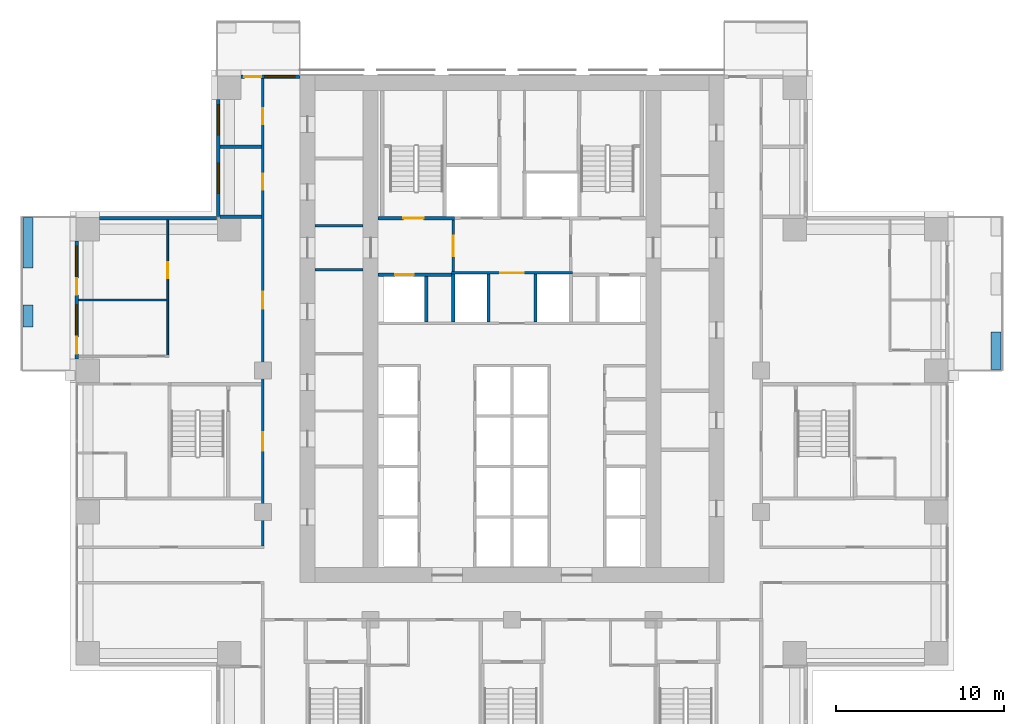
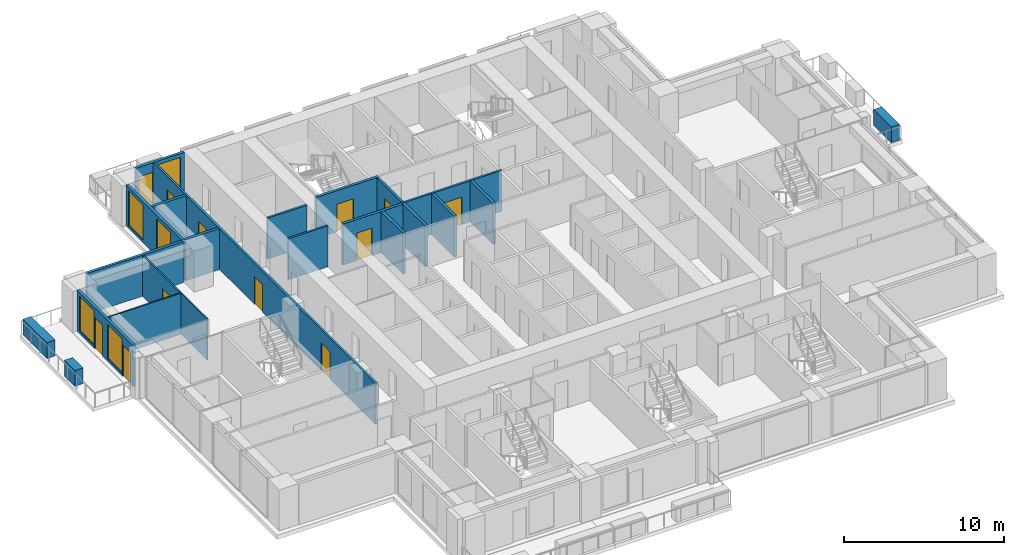
# One storey, part 10 of 16: 22 walls, 12 doors, 5 windows, 17 openings.
"""IFC4 building model written with IfcOpenShell, lengths in metres."""

from ifc_helpers import new_model, si_unit, direction, frame, frame_2d, origin, place, context, subcontext, project, spatial, rectangle, extrude, material, layer, layer_set, type_object, element, fill, save


model = new_model("IFC4")

# Units and contexts
model_context = context("Model", 3, precision=1e-05, world=origin(), true_north=direction((0.0, 1.0)))
body_context = subcontext(model_context, "Body", "Model", "MODEL_VIEW")
ifc_project = project(units=[si_unit("LENGTHUNIT", "METRE"), si_unit("AREAUNIT", "SQUARE_METRE"), si_unit("VOLUMEUNIT", "CUBIC_METRE"), si_unit("PLANEANGLEUNIT", "RADIAN"), si_unit("MASSUNIT", "GRAM", prefix="KILO")], contexts=[model_context])

# Site, building, storey
site_placement = place(None, origin())
site = spatial("IfcSite", under=ifc_project, at=site_placement, CompositionType="ELEMENT")
building_placement = place(site_placement, origin())
building = spatial("IfcBuilding", under=site, at=building_placement, Name="Vermilion Ogive Tower", CompositionType="ELEMENT")
storey_placement = place(building_placement, frame((0.0, 0.0, 41.39990234375)))
storey = spatial("IfcBuildingStorey", under=building, at=storey_placement, Name="L08", CompositionType="ELEMENT", Elevation=41.39990234375)

# Wall
ifc_material_1 = material(Name="Gypsum board partition on steel studs", Category="steel")
ifc_layer_1 = layer(ifc_material_1, 0.10009765625)
ifc_layer_set_1 = layer_set([ifc_layer_1], Name="Partition 100 inner")
wall_type_1 = type_object("IfcWallType", Name="Partition 100 inner", PredefinedType="PARTITIONING", material=ifc_layer_set_1)
wall_1_placement = place(storey_placement, frame((-25.75, 8.39990234375, 0.0), z_axis=(0.0, 0.0, 1.0), x_axis=(1.0, 0.0, 0.0)))
element("IfcWall", 1, at=wall_1_placement, inside=storey, type_object=wall_type_1, Name="L08-W-W035", PredefinedType="PARTITIONING", context=body_context, shape_type="SweptSolid", body=[
    extrude(rectangle(XDim=5.25, YDim=0.10009765625, at=frame_2d((2.625, 0.0))), origin(), (0.0, 0.0, 1.0), 3.130126953125),
])

# Wall, opening, door
wall_2_placement = place(storey_placement, frame((-20.449951171875, 5.099853515625, 0.0), z_axis=(0.0, 0.0, 1.0), x_axis=(0.0, 1.0, 0.0)))
wall_2 = element("IfcWall", 2, at=wall_2_placement, inside=storey, type_object=wall_type_1, Name="L08-W-W042", PredefinedType="PARTITIONING", context=body_context, shape_type="SweptSolid", body=[
    extrude(rectangle(XDim=8.050048828125, YDim=0.10009765625, at=frame_2d((4.02490234375, 0.0))), origin(), (0.0, 0.0, 1.0), 3.130126953125),
])
opening_1_placement = place(wall_2_placement, frame((4.60009765625, 0.0, 0.0)))
opening_1 = element("IfcOpeningElement", 3, at=opening_1_placement, cuts=wall_2, Name="Opening D1G2005", PredefinedType="OPENING", context=body_context, shape_type="SweptSolid", body=[
    extrude(rectangle(XDim=0.949951171875, YDim=2.10009765625, at=frame_2d((0.47509765625, 1.050048828125))), frame((0.0, 0.06005859375, 0.0), z_axis=(0.0, -1.0, 0.0), x_axis=(1.0, 0.0, 0.0)), (0.0, 0.0, 1.0), 0.1201171875),
])
ifc_material_2 = material(Name="Timber door leaf", Category="wood")
door_type_1 = type_object("IfcDoorType", Name="Inner door 950 x 2100 FD30", OperationType="SINGLE_SWING_LEFT", PredefinedType="DOOR", material=ifc_material_2)
door_1_placement = place(opening_1_placement, origin())
door_1 = element("IfcDoor", 4, at=door_1_placement, inside=storey, type_object=door_type_1, Name="L08-D-D005", OperationType="SINGLE_SWING_RIGHT", OverallHeight=2.10009765625, OverallWidth=0.949951171875, PredefinedType="DOOR", context=body_context, shape_type="SweptSolid", body=[
    extrude(rectangle(XDim=0.949951171875, YDim=2.10009765625, at=frame_2d((0.47509765625, 1.050048828125))), frame((0.0, 0.02490234375, 0.0), z_axis=(0.0, -1.0, 0.0), x_axis=(1.0, 0.0, 0.0)), (0.0, 0.0, 1.0), 0.050048828125),
])
fill(opening_1, door_1)

# Wall, openings, doors
ifc_material_3 = material(Name="Gypsum board partition on steel studs", Category="steel")
ifc_layer_2 = layer(ifc_material_3, 0.14990234375)
ifc_layer_set_2 = layer_set([ifc_layer_2], Name="Partition 150 corridor")
wall_type_2 = type_object("IfcWallType", Name="Partition 150 corridor", PredefinedType="PARTITIONING", material=ifc_layer_set_2)
wall_3_placement = place(storey_placement, frame((-14.800048828125, -6.22509765625, 0.0), z_axis=(0.0, 0.0, 1.0), x_axis=(0.0, 1.0, 0.0)))
wall_3 = element("IfcWall", 5, at=wall_3_placement, inside=storey, type_object=wall_type_2, Name="L08-W-W048", PredefinedType="PARTITIONING", context=body_context, shape_type="SweptSolid", body=[
    extrude(rectangle(XDim=27.775146484375, YDim=0.14990234375, at=frame_2d((13.8876953125, 0.0))), origin(), (0.0, 0.0, 1.0), 3.130126953125),
])
opening_2_placement = place(wall_3_placement, frame((14.10009765625, 0.0, 0.0)))
opening_2 = element("IfcOpeningElement", 6, at=opening_2_placement, cuts=wall_3, Name="Opening D1G2006", PredefinedType="OPENING", context=body_context, shape_type="SweptSolid", body=[
    extrude(rectangle(XDim=1.0, YDim=2.10009765625, at=frame_2d((0.5, 1.050048828125))), frame((0.0, 0.0849609375, 0.0), z_axis=(0.0, -1.0, 0.0), x_axis=(1.0, 0.0, 0.0)), (0.0, 0.0, 1.0), 0.169921875),
])
opening_3_placement = place(wall_3_placement, frame((21.175048828125, 0.0, 0.0)))
opening_3 = element("IfcOpeningElement", 7, at=opening_3_placement, cuts=wall_3, Name="Opening D1G2009", PredefinedType="OPENING", context=body_context, shape_type="SweptSolid", body=[
    extrude(rectangle(XDim=0.949951171875, YDim=2.10009765625, at=frame_2d((0.47509765625, 1.050048828125))), frame((0.0, 0.0849609375, 0.0), z_axis=(0.0, -1.0, 0.0), x_axis=(1.0, 0.0, 0.0)), (0.0, 0.0, 1.0), 0.169921875),
])
opening_4_placement = place(wall_3_placement, frame((25.0751953125, 0.0, 0.0)))
opening_4 = element("IfcOpeningElement", 8, at=opening_4_placement, cuts=wall_3, Name="Opening D1G2010", PredefinedType="OPENING", context=body_context, shape_type="SweptSolid", body=[
    extrude(rectangle(XDim=0.949951171875, YDim=2.10009765625, at=frame_2d((0.47509765625, 1.050048828125))), frame((0.0, 0.0849609375, 0.0), z_axis=(0.0, -1.0, 0.0), x_axis=(1.0, 0.0, 0.0)), (0.0, 0.0, 1.0), 0.169921875),
])
opening_5_placement = place(wall_3_placement, frame((5.675048828125, 0.0, 0.0)))
opening_5 = element("IfcOpeningElement", 9, at=opening_5_placement, cuts=wall_3, Name="Opening D1G2033", PredefinedType="OPENING", context=body_context, shape_type="SweptSolid", body=[
    extrude(rectangle(XDim=1.10009765625, YDim=2.10009765625, at=frame_2d((0.550048828125, 1.050048828125))), frame((0.0, 0.0849609375, 0.0), z_axis=(0.0, -1.0, 0.0), x_axis=(1.0, 0.0, 0.0)), (0.0, 0.0, 1.0), 0.169921875),
])
ifc_material_4 = material(Name="Timber door leaf", Category="wood")
door_type_2 = type_object("IfcDoorType", Name="Stair door 1100 x 2100 FD60S", OperationType="SINGLE_SWING_LEFT", PredefinedType="DOOR", material=ifc_material_4)
door_2_placement = place(opening_5_placement, origin())
door_2 = element("IfcDoor", 10, at=door_2_placement, inside=storey, type_object=door_type_2, Name="L08-D-D033", OperationType="SINGLE_SWING_RIGHT", OverallHeight=2.10009765625, OverallWidth=1.10009765625, PredefinedType="DOOR", context=body_context, shape_type="SweptSolid", body=[
    extrude(rectangle(XDim=1.10009765625, YDim=2.10009765625, at=frame_2d((0.550048828125, 1.050048828125))), frame((0.0, 0.02490234375, 0.0), z_axis=(0.0, -1.0, 0.0), x_axis=(1.0, 0.0, 0.0)), (0.0, 0.0, 1.0), 0.050048828125),
])
fill(opening_5, door_2)
ifc_material_5 = material(Name="Timber door leaf", Category="wood")
door_type_3 = type_object("IfcDoorType", Name="Unit door 1000 x 2100 FD30S", OperationType="SINGLE_SWING_LEFT", PredefinedType="DOOR", material=ifc_material_5)
door_3_placement = place(opening_2_placement, origin())
door_3 = element("IfcDoor", 11, at=door_3_placement, inside=storey, type_object=door_type_3, Name="L08-D-D006", OperationType="SINGLE_SWING_LEFT", OverallHeight=2.10009765625, OverallWidth=1.0, PredefinedType="DOOR", context=body_context, shape_type="SweptSolid", body=[
    extrude(rectangle(XDim=1.0, YDim=2.10009765625, at=frame_2d((0.5, 1.050048828125))), frame((0.0, 0.02490234375, 0.0), z_axis=(0.0, -1.0, 0.0), x_axis=(1.0, 0.0, 0.0)), (0.0, 0.0, 1.0), 0.050048828125),
])
fill(opening_2, door_3)
ifc_material_6 = material(Name="Timber door leaf", Category="wood")
door_type_4 = type_object("IfcDoorType", Name="Unit door 950 x 2100 FD30S", OperationType="SINGLE_SWING_LEFT", PredefinedType="DOOR", material=ifc_material_6)
door_4_placement = place(opening_3_placement, origin())
door_4 = element("IfcDoor", 12, at=door_4_placement, inside=storey, type_object=door_type_4, Name="L08-D-D009", OperationType="SINGLE_SWING_RIGHT", OverallHeight=2.10009765625, OverallWidth=0.949951171875, PredefinedType="DOOR", context=body_context, shape_type="SweptSolid", body=[
    extrude(rectangle(XDim=0.949951171875, YDim=2.10009765625, at=frame_2d((0.47509765625, 1.050048828125))), frame((0.0, 0.02490234375, 0.0), z_axis=(0.0, -1.0, 0.0), x_axis=(1.0, 0.0, 0.0)), (0.0, 0.0, 1.0), 0.050048828125),
])
fill(opening_3, door_4)
door_5_placement = place(opening_4_placement, origin())
door_5 = element("IfcDoor", 13, at=door_5_placement, inside=storey, type_object=door_type_4, Name="L08-D-D010", OperationType="SINGLE_SWING_LEFT", OverallHeight=2.10009765625, OverallWidth=0.949951171875, PredefinedType="DOOR", context=body_context, shape_type="SweptSolid", body=[
    extrude(rectangle(XDim=0.949951171875, YDim=2.10009765625, at=frame_2d((0.47509765625, 1.050048828125))), frame((0.0, 0.02490234375, 0.0), z_axis=(0.0, -1.0, 0.0), x_axis=(1.0, 0.0, 0.0)), (0.0, 0.0, 1.0), 0.050048828125),
])
fill(opening_4, door_5)

# Wall, opening, door
wall_4_placement = place(storey_placement, frame((-3.60009765625, 10.0, 0.0), z_axis=(0.0, 0.0, 1.0), x_axis=(1.0, 0.0, 0.0)))
wall_4 = element("IfcWall", 14, at=wall_4_placement, inside=storey, type_object=wall_type_2, Name="L08-CK-W-W017", PredefinedType="PARTITIONING", context=body_context, shape_type="SweptSolid", body=[
    extrude(rectangle(XDim=7.2001953125, YDim=0.14990234375, at=frame_2d((3.60009765625, 0.0))), origin(), (0.0, 0.0, 1.0), 3.130126953125),
])
opening_6_placement = place(wall_4_placement, frame((2.900146484375, 0.0, 0.0)))
opening_6 = element("IfcOpeningElement", 15, at=opening_6_placement, cuts=wall_4, Name="Opening DAA025", PredefinedType="OPENING", context=body_context, shape_type="SweptSolid", body=[
    extrude(rectangle(XDim=1.39990234375, YDim=2.10009765625, at=frame_2d((0.699951171875, 1.050048828125))), frame((0.0, 0.0849609375, 0.0), z_axis=(0.0, -1.0, 0.0), x_axis=(1.0, 0.0, 0.0)), (0.0, 0.0, 1.0), 0.169921875),
])
ifc_material_7 = material(Name="Timber door leaf", Category="wood")
door_type_5 = type_object("IfcDoorType", Name="Lobby door 1400 x 2100 FD60S", OperationType="SINGLE_SWING_LEFT", PredefinedType="DOOR", material=ifc_material_7)
door_6_placement = place(opening_6_placement, origin())
door_6 = element("IfcDoor", 16, at=door_6_placement, inside=storey, type_object=door_type_5, Name="L08-CK-D-D017", OperationType="SINGLE_SWING_RIGHT", OverallHeight=2.10009765625, OverallWidth=1.39990234375, PredefinedType="DOOR", context=body_context, shape_type="SweptSolid", body=[
    extrude(rectangle(XDim=1.39990234375, YDim=2.10009765625, at=frame_2d((0.699951171875, 1.050048828125))), frame((0.0, 0.02490234375, 0.0), z_axis=(0.0, -1.0, 0.0), x_axis=(1.0, 0.0, 0.0)), (0.0, 0.0, 1.0), 0.050048828125),
])
fill(opening_6, door_6)

wall_5_placement = place(storey_placement, frame((-3.5, 10.074951171875, 0.0), z_axis=(0.0, 0.0, 1.0), x_axis=(0.0, 1.0, 0.0)))
wall_5 = element("IfcWall", 17, at=wall_5_placement, inside=storey, type_object=wall_type_2, Name="L08-CK-W-W027", PredefinedType="PARTITIONING", context=body_context, shape_type="SweptSolid", body=[
    extrude(rectangle(XDim=3.074951171875, YDim=0.14990234375, at=frame_2d((1.53759765625, 0.0))), origin(), (0.0, 0.0, 1.0), 3.130126953125),
])
opening_7_placement = place(wall_5_placement, frame((0.925048828125, 0.0, 0.0)))
opening_7 = element("IfcOpeningElement", 18, at=opening_7_placement, cuts=wall_5, Name="Opening DAA022", PredefinedType="OPENING", context=body_context, shape_type="SweptSolid", body=[
    extrude(rectangle(XDim=1.199951171875, YDim=2.10009765625, at=frame_2d((0.60009765625, 1.050048828125))), frame((0.0, 0.0849609375, 0.0), z_axis=(0.0, -1.0, 0.0), x_axis=(1.0, 0.0, 0.0)), (0.0, 0.0, 1.0), 0.169921875),
])
ifc_material_8 = material(Name="Timber door leaf", Category="wood")
door_type_6 = type_object("IfcDoorType", Name="Lobby door 1200 x 2100 FD60S", OperationType="SINGLE_SWING_LEFT", PredefinedType="DOOR", material=ifc_material_8)
door_7_placement = place(opening_7_placement, origin())
door_7 = element("IfcDoor", 19, at=door_7_placement, inside=storey, type_object=door_type_6, Name="L08-CK-D-D023", OperationType="SINGLE_SWING_RIGHT", OverallHeight=2.10009765625, OverallWidth=1.199951171875, PredefinedType="DOOR", context=body_context, shape_type="SweptSolid", body=[
    extrude(rectangle(XDim=1.199951171875, YDim=2.10009765625, at=frame_2d((0.60009765625, 1.050048828125))), frame((0.0, 0.02490234375, 0.0), z_axis=(0.0, -1.0, 0.0), x_axis=(1.0, 0.0, 0.0)), (0.0, 0.0, 1.0), 0.050048828125),
])
fill(opening_7, door_7)

# Walls
for number, where, z_axis, x_axis, name in (
    (20, (-11.698974609375, 10.199951171875, 0.0), (0.0, 0.0, 1.0), (1.0, 0.0, 0.0), "L08-CKW-W-W004"),
    (21, (-11.698974609375, 12.800048828125, 0.0), (0.0, 0.0, 1.0), (1.0, 0.0, 0.0), "L08-CKW-W-W005"),
):
    element("IfcWall", number, at=place(storey_placement, frame(where, z_axis=z_axis, x_axis=x_axis)), inside=storey, type_object=wall_type_2, Name=name, PredefinedType="PARTITIONING", context=body_context, shape_type="SweptSolid", body=[
        extrude(rectangle(XDim=2.847900390625, YDim=0.14990234375, at=frame_2d((1.423828125, 0.0))), origin(), (0.0, 0.0, 1.0), 3.130126953125),
    ])
ifc_material_9 = material(Name="Gypsum board partition on steel studs", Category="steel")
ifc_layer_3 = layer(ifc_material_9, 0.199951171875)
ifc_layer_set_3 = layer_set([ifc_layer_3], Name="Partition 200 party")
wall_type_3 = type_object("IfcWallType", Name="Partition 200 party", PredefinedType="PARTITIONING", material=ifc_layer_set_3)
for number, where, z_axis, x_axis, name in (
    (22, (-17.35009765625, 13.35009765625, 0.0), (0.0, 0.0, 1.0), (1.0, 0.0, 0.0), "L08-W-W037"),
    (23, (-17.35009765625, 17.5, 0.0), (0.0, 0.0, 1.0), (1.0, 0.0, 0.0), "L08-W-W039"),
):
    element("IfcWall", number, at=place(storey_placement, frame(where, z_axis=z_axis, x_axis=x_axis)), inside=storey, type_object=wall_type_3, Name=name, PredefinedType="PARTITIONING", context=body_context, shape_type="SweptSolid", body=[
        extrude(rectangle(XDim=2.47509765625, YDim=0.199951171875, at=frame_2d((1.237548828125, 0.0))), origin(), (0.0, 0.0, 1.0), 3.130126953125),
    ])

# Wall, opening, door
wall_6_placement = place(storey_placement, frame((-7.948974609375, 9.89990234375, 0.0), z_axis=(0.0, 0.0, 1.0), x_axis=(1.0, 0.0, 0.0)))
wall_6 = element("IfcWall", 24, at=wall_6_placement, inside=storey, type_object=wall_type_3, Name="L08-CK-W-W015", PredefinedType="PARTITIONING", context=body_context, shape_type="SweptSolid", body=[
    extrude(rectangle(XDim=4.348876953125, YDim=0.199951171875, at=frame_2d((2.17431640625, 0.0))), origin(), (0.0, 0.0, 1.0), 3.130126953125),
])
opening_8_placement = place(wall_6_placement, frame((0.9990234375, 0.0, 0.0)))
opening_8 = element("IfcOpeningElement", 25, at=opening_8_placement, cuts=wall_6, Name="Opening DAA044", PredefinedType="OPENING", context=body_context, shape_type="SweptSolid", body=[
    extrude(rectangle(XDim=1.10009765625, YDim=2.10009765625, at=frame_2d((0.550048828125, 1.050048828125))), frame((0.0, 0.10986328125, 0.0), z_axis=(0.0, -1.0, 0.0), x_axis=(1.0, 0.0, 0.0)), (0.0, 0.0, 1.0), 0.219970703125),
])
ifc_material_10 = material(Name="Stainless steel", Category="steel")
door_type_7 = type_object("IfcDoorType", Name="Lift landing door 1100 x 2100", OperationType="SLIDING_TO_LEFT", PredefinedType="DOOR", material=ifc_material_10)
door_8_placement = place(opening_8_placement, origin())
door_8 = element("IfcDoor", 26, at=door_8_placement, inside=storey, type_object=door_type_7, Name="L08-CK-D-D013", OperationType="SLIDING_TO_RIGHT", OverallHeight=2.10009765625, OverallWidth=1.10009765625, PredefinedType="DOOR", context=body_context, shape_type="SweptSolid", body=[
    extrude(rectangle(XDim=1.10009765625, YDim=2.10009765625, at=frame_2d((0.550048828125, 1.050048828125))), frame((0.0, 0.02490234375, 0.0), z_axis=(0.0, -1.0, 0.0), x_axis=(1.0, 0.0, 0.0)), (0.0, 0.0, 1.0), 0.050048828125),
])
fill(opening_8, door_8)

# Walls
wall_7_placement = place(storey_placement, frame((-5.10009765625, 7.074951171875, 0.0), z_axis=(0.0, 0.0, 1.0), x_axis=(0.0, 1.0, 0.0)))
element("IfcWall", 27, at=wall_7_placement, inside=storey, type_object=wall_type_3, Name="L08-CK-W-W024", PredefinedType="PARTITIONING", context=body_context, shape_type="SweptSolid", body=[
    extrude(rectangle(XDim=2.72509765625, YDim=0.199951171875, at=frame_2d((1.362548828125, 0.0))), origin(), (0.0, 0.0, 1.0), 3.130126953125),
])
for number, where, z_axis, x_axis, name in (
    (28, (-3.5, 7.074951171875, 0.0), (0.0, 0.0, 1.0), (0.0, 1.0, 0.0), "L08-CK-W-W026"),
    (29, (-1.39990234375, 7.074951171875, 0.0), (0.0, 0.0, 1.0), (0.0, 1.0, 0.0), "L08-CK-W-W029"),
    (30, (1.39990234375, 7.074951171875, 0.0), (0.0, 0.0, 1.0), (0.0, 1.0, 0.0), "L08-CK-W-W034"),
):
    element("IfcWall", number, at=place(storey_placement, frame(where, z_axis=z_axis, x_axis=x_axis)), inside=storey, type_object=wall_type_3, Name=name, PredefinedType="PARTITIONING", context=body_context, shape_type="SweptSolid", body=[
        extrude(rectangle(XDim=2.85009765625, YDim=0.199951171875, at=frame_2d((1.425048828125, 0.0))), origin(), (0.0, 0.0, 1.0), 3.130126953125),
    ])

# Wall, opening, door
ifc_material_11 = material(Name="Concrete B60", Category="concrete")
ifc_layer_4 = layer(ifc_material_11, 0.199951171875)
ifc_layer_set_4 = layer_set([ifc_layer_4], Name="Stair shaft wall 200 Concrete B60")
wall_type_4 = type_object("IfcWallType", Name="Stair shaft wall 200 Concrete B60", PredefinedType="SOLIDWALL", material=ifc_layer_set_4)
wall_8_placement = place(storey_placement, frame((-7.948974609375, 13.25, 0.0), z_axis=(0.0, 0.0, 1.0), x_axis=(1.0, 0.0, 0.0)))
wall_8 = element("IfcWall", 31, at=wall_8_placement, inside=storey, type_object=wall_type_4, Name="L08-CK-W-W018", PredefinedType="SOLIDWALL", context=body_context, shape_type="SweptSolid", body=[
    extrude(rectangle(XDim=4.52392578125, YDim=0.199951171875, at=frame_2d((2.261962890625, 0.0))), origin(), (0.0, 0.0, 1.0), 3.130126953125),
])
opening_9_placement = place(wall_8_placement, frame((1.4990234375, 0.0, 0.0)))
opening_9 = element("IfcOpeningElement", 32, at=opening_9_placement, cuts=wall_8, Name="Opening DAA032", PredefinedType="OPENING", context=body_context, shape_type="SweptSolid", body=[
    extrude(rectangle(XDim=1.199951171875, YDim=2.10009765625, at=frame_2d((0.60009765625, 1.050048828125))), frame((0.0, 0.10986328125, 0.0), z_axis=(0.0, -1.0, 0.0), x_axis=(1.0, 0.0, 0.0)), (0.0, 0.0, 1.0), 0.219970703125),
])
ifc_material_12 = material(Name="Timber door leaf", Category="wood")
door_type_8 = type_object("IfcDoorType", Name="Stair door 1200 x 2100 FD60S", OperationType="SINGLE_SWING_LEFT", PredefinedType="DOOR", material=ifc_material_12)
door_9_placement = place(opening_9_placement, origin())
door_9 = element("IfcDoor", 33, at=door_9_placement, inside=storey, type_object=door_type_8, Name="L08-CK-D-D012", OperationType="SINGLE_SWING_LEFT", OverallHeight=2.10009765625, OverallWidth=1.199951171875, PredefinedType="DOOR", context=body_context, shape_type="SweptSolid", body=[
    extrude(rectangle(XDim=1.199951171875, YDim=2.10009765625, at=frame_2d((0.60009765625, 1.050048828125))), frame((0.0, 0.02490234375, 0.0), z_axis=(0.0, -1.0, 0.0), x_axis=(1.0, 0.0, 0.0)), (0.0, 0.0, 1.0), 0.050048828125),
])
fill(opening_9, door_9)

# Walls
ifc_material_13 = material(Name="Concrete B40", Category="concrete")
ifc_layer_5 = layer(ifc_material_13, 0.60009765625)
ifc_layer_set_5 = layer_set([ifc_layer_5], Name="Structural planter")
wall_type_5 = type_object("IfcWallType", Name="Structural planter", PredefinedType="USERDEFINED", material=ifc_layer_set_5)
wall_9_placement = place(storey_placement, frame((28.75, 4.260009765625, -0.039794921875), z_axis=(0.0, 0.0, 1.0), x_axis=(0.0, 1.0, 0.0)))
element("IfcWall", 34, at=wall_9_placement, inside=storey, type_object=wall_type_5, Name="Planter E03A1", ObjectType="PLANTER", PredefinedType="USERDEFINED", context=body_context, shape_type="SweptSolid", body=[
    extrude(rectangle(XDim=2.239990234375, YDim=0.60009765625, at=frame_2d((1.1201171875, 0.0))), origin(), (0.0, 0.0, 1.0), 1.199951171875),
])
wall_10_placement = place(storey_placement, frame((-28.75, 13.2900390625, -0.039794921875), z_axis=(0.0, 0.0, 1.0), x_axis=(0.0, -1.0, 0.0)))
element("IfcWall", 35, at=wall_10_placement, inside=storey, type_object=wall_type_5, Name="Planter W01A1", ObjectType="PLANTER", PredefinedType="USERDEFINED", context=body_context, shape_type="SweptSolid", body=[
    extrude(rectangle(XDim=2.989990234375, YDim=0.60009765625, at=frame_2d((1.4951171875, 0.0))), origin(), (0.0, 0.0, 1.0), 1.199951171875),
])
wall_11_placement = place(storey_placement, frame((-28.75, 8.10009765625, -0.039794921875), z_axis=(0.0, 0.0, 1.0), x_axis=(0.0, -1.0, 0.0)))
element("IfcWall", 36, at=wall_11_placement, inside=storey, type_object=wall_type_5, Name="Planter W01A2", ObjectType="PLANTER", PredefinedType="USERDEFINED", context=body_context, shape_type="SweptSolid", body=[
    extrude(rectangle(XDim=1.300048828125, YDim=0.60009765625, at=frame_2d((0.64990234375, 0.0))), origin(), (0.0, 0.0, 1.0), 1.199951171875),
])

# Wall, openings, door, window
ifc_material_14 = material(Name="Aluminium window wall framing", Category="aluminium")
ifc_layer_6 = layer(ifc_material_14, 0.199951171875)
ifc_layer_set_6 = layer_set([ifc_layer_6], Name="Window wall")
wall_type_6 = type_object("IfcWallType", Name="Window wall", PredefinedType="STANDARD", material=ifc_layer_set_6)
wall_12_placement = place(storey_placement, frame((-12.60009765625, 21.64990234375, 0.0), z_axis=(0.0, 0.0, 1.0), x_axis=(-1.0, 0.0, 0.0)))
wall_12 = element("IfcWall", 37, at=wall_12_placement, inside=storey, type_object=wall_type_6, Name="Window wall N21", PredefinedType="STANDARD", context=body_context, shape_type="SweptSolid", body=[
    extrude(rectangle(XDim=3.5, YDim=0.199951171875, at=frame_2d((1.75, 0.0))), origin(), (0.0, 0.0, 1.0), 3.130126953125),
])
opening_10_placement = place(wall_12_placement, frame((0.300048828125, 0.0, 0.199951171875)))
opening_10 = element("IfcOpeningElement", 38, at=opening_10_placement, cuts=wall_12, Name="Opening W1-N296", PredefinedType="OPENING", context=body_context, shape_type="SweptSolid", body=[
    extrude(rectangle(XDim=1.800048828125, YDim=2.64990234375, at=frame_2d((0.89990234375, 1.324951171875))), frame((0.0, 0.10986328125, 0.0), z_axis=(0.0, -1.0, 0.0), x_axis=(1.0, 0.0, 0.0)), (0.0, 0.0, 1.0), 0.219970703125),
])
opening_11_placement = place(wall_12_placement, frame((2.300048828125, 0.0, 0.0)))
opening_11 = element("IfcOpeningElement", 39, at=opening_11_placement, cuts=wall_12, Name="Opening D1-N296", PredefinedType="OPENING", context=body_context, shape_type="SweptSolid", body=[
    extrude(rectangle(XDim=1.0, YDim=2.39990234375, at=frame_2d((0.5, 1.199951171875))), frame((0.0, 0.10986328125, 0.0), z_axis=(0.0, -1.0, 0.0), x_axis=(1.0, 0.0, 0.0)), (0.0, 0.0, 1.0), 0.219970703125),
])
ifc_material_15 = material(Name="Aluminium framed glazed door", Category="aluminium")
door_type_9 = type_object("IfcDoorType", Name="Balcony door D1", OperationType="SINGLE_SWING_LEFT", PredefinedType="DOOR", material=ifc_material_15)
door_10_placement = place(opening_11_placement, origin())
door_10 = element("IfcDoor", 40, at=door_10_placement, inside=storey, type_object=door_type_9, Name="Balcony door N296", OperationType="SINGLE_SWING_LEFT", OverallHeight=2.39990234375, OverallWidth=1.0, PredefinedType="DOOR", context=body_context, shape_type="SweptSolid", body=[
    extrude(rectangle(XDim=1.0, YDim=2.39990234375, at=frame_2d((0.5, 1.199951171875))), frame((0.0, 0.02490234375, 0.0), z_axis=(0.0, -1.0, 0.0), x_axis=(1.0, 0.0, 0.0)), (0.0, 0.0, 1.0), 0.050048828125),
])
fill(opening_11, door_10)
ifc_material_16 = material(Name="Aluminium framed double glazing", Category="aluminium")
window_type = type_object("IfcWindowType", Name="Guest window W1", PartitioningType="SINGLE_PANEL", PredefinedType="WINDOW", material=ifc_material_16)
window_1_placement = place(opening_10_placement, origin())
window_1 = element("IfcWindow", 41, at=window_1_placement, inside=storey, type_object=window_type, Name="Window N296", OverallHeight=2.64990234375, OverallWidth=1.800048828125, PartitioningType="SINGLE_PANEL", PredefinedType="WINDOW", context=body_context, shape_type="SweptSolid", body=[
    extrude(rectangle(XDim=1.800048828125, YDim=2.64990234375, at=frame_2d((0.89990234375, 1.324951171875))), frame((0.0, 0.030029296875, 0.0), z_axis=(0.0, -1.0, 0.0), x_axis=(1.0, 0.0, 0.0)), (0.0, 0.0, 1.0), 0.06005859375),
])
fill(opening_10, window_1)

# Wall, openings, windows
wall_13_placement = place(storey_placement, frame((-17.449951171875, 20.300048828125, 0.0), z_axis=(0.0, 0.0, 1.0), x_axis=(0.0, -1.0, 0.0)))
wall_13 = element("IfcWall", 42, at=wall_13_placement, inside=storey, type_object=wall_type_6, Name="Window wall X51", PredefinedType="STANDARD", context=body_context, shape_type="SweptSolid", body=[
    extrude(rectangle(XDim=6.949951171875, YDim=0.199951171875, at=frame_2d((3.47509765625, 0.0))), origin(), (0.0, 0.0, 1.0), 3.130126953125),
])
opening_12_placement = place(wall_13_placement, frame((3.77490234375, 0.0, 0.199951171875)))
opening_12 = element("IfcOpeningElement", 43, at=opening_12_placement, cuts=wall_13, Name="Opening W1-X503", PredefinedType="OPENING", context=body_context, shape_type="SweptSolid", body=[
    extrude(rectangle(XDim=1.800048828125, YDim=2.64990234375, at=frame_2d((0.89990234375, 1.324951171875))), frame((0.0, 0.10986328125, 0.0), z_axis=(0.0, -1.0, 0.0), x_axis=(1.0, 0.0, 0.0)), (0.0, 0.0, 1.0), 0.219970703125),
])
opening_13_placement = place(wall_13_placement, frame((0.300048828125, 0.0, 0.199951171875)))
opening_13 = element("IfcOpeningElement", 44, at=opening_13_placement, cuts=wall_13, Name="Opening W1-X504", PredefinedType="OPENING", context=body_context, shape_type="SweptSolid", body=[
    extrude(rectangle(XDim=1.800048828125, YDim=2.64990234375, at=frame_2d((0.89990234375, 1.324951171875))), frame((0.0, 0.10986328125, 0.0), z_axis=(0.0, -1.0, 0.0), x_axis=(1.0, 0.0, 0.0)), (0.0, 0.0, 1.0), 0.219970703125),
])
window_2_placement = place(opening_12_placement, origin())
window_2 = element("IfcWindow", 45, at=window_2_placement, inside=storey, type_object=window_type, Name="Window X503", OverallHeight=2.64990234375, OverallWidth=1.800048828125, PartitioningType="SINGLE_PANEL", PredefinedType="WINDOW", context=body_context, shape_type="SweptSolid", body=[
    extrude(rectangle(XDim=1.800048828125, YDim=2.64990234375, at=frame_2d((0.89990234375, 1.324951171875))), frame((0.0, 0.030029296875, 0.0), z_axis=(0.0, -1.0, 0.0), x_axis=(1.0, 0.0, 0.0)), (0.0, 0.0, 1.0), 0.06005859375),
])
fill(opening_12, window_2)
window_3_placement = place(opening_13_placement, origin())
window_3 = element("IfcWindow", 46, at=window_3_placement, inside=storey, type_object=window_type, Name="Window X504", OverallHeight=2.64990234375, OverallWidth=1.800048828125, PartitioningType="SINGLE_PANEL", PredefinedType="WINDOW", context=body_context, shape_type="SweptSolid", body=[
    extrude(rectangle(XDim=1.800048828125, YDim=2.64990234375, at=frame_2d((0.89990234375, 1.324951171875))), frame((0.0, 0.030029296875, 0.0), z_axis=(0.0, -1.0, 0.0), x_axis=(1.0, 0.0, 0.0)), (0.0, 0.0, 1.0), 0.06005859375),
])
fill(opening_13, window_3)

# Wall
wall_14_placement = place(storey_placement, frame((-17.550048828125, 13.25, 0.0), z_axis=(0.0, 0.0, 1.0), x_axis=(-1.0, 0.0, 0.0)))
element("IfcWall", 47, at=wall_14_placement, inside=storey, type_object=wall_type_6, Name="Window wall X61", PredefinedType="STANDARD", context=body_context, shape_type="SweptSolid", body=[
    extrude(rectangle(XDim=6.949951171875, YDim=0.199951171875, at=frame_2d((3.47509765625, 0.0))), origin(), (0.0, 0.0, 1.0), 3.130126953125),
])

# Wall, openings, doors, windows
wall_15_placement = place(storey_placement, frame((-25.85009765625, 11.89990234375, 0.0), z_axis=(0.0, 0.0, 1.0), x_axis=(0.0, -1.0, 0.0)))
wall_15 = element("IfcWall", 48, at=wall_15_placement, inside=storey, type_object=wall_type_6, Name="Window wall W1", PredefinedType="STANDARD", context=body_context, shape_type="SweptSolid", body=[
    extrude(rectangle(XDim=7.0, YDim=0.199951171875, at=frame_2d((3.5, 0.0))), origin(), (0.0, 0.0, 1.0), 3.130126953125),
])
opening_14_placement = place(wall_15_placement, frame((3.800048828125, 0.0, 0.199951171875)))
opening_14 = element("IfcOpeningElement", 49, at=opening_14_placement, cuts=wall_15, Name="Opening W1-W01", PredefinedType="OPENING", context=body_context, shape_type="SweptSolid", body=[
    extrude(rectangle(XDim=1.800048828125, YDim=2.64990234375, at=frame_2d((0.89990234375, 1.324951171875))), frame((0.0, 0.10986328125, 0.0), z_axis=(0.0, -1.0, 0.0), x_axis=(1.0, 0.0, 0.0)), (0.0, 0.0, 1.0), 0.219970703125),
])
opening_15_placement = place(wall_15_placement, frame((5.699951171875, 0.0, 0.0)))
opening_15 = element("IfcOpeningElement", 50, at=opening_15_placement, cuts=wall_15, Name="Opening D1-W01", PredefinedType="OPENING", context=body_context, shape_type="SweptSolid", body=[
    extrude(rectangle(XDim=1.0, YDim=2.39990234375, at=frame_2d((0.5, 1.199951171875))), frame((0.0, 0.10986328125, 0.0), z_axis=(0.0, -1.0, 0.0), x_axis=(1.0, 0.0, 0.0)), (0.0, 0.0, 1.0), 0.219970703125),
])
opening_16_placement = place(wall_15_placement, frame((0.300048828125, 0.0, 0.199951171875)))
opening_16 = element("IfcOpeningElement", 51, at=opening_16_placement, cuts=wall_15, Name="Opening W1-W02", PredefinedType="OPENING", context=body_context, shape_type="SweptSolid", body=[
    extrude(rectangle(XDim=1.800048828125, YDim=2.64990234375, at=frame_2d((0.89990234375, 1.324951171875))), frame((0.0, 0.10986328125, 0.0), z_axis=(0.0, -1.0, 0.0), x_axis=(1.0, 0.0, 0.0)), (0.0, 0.0, 1.0), 0.219970703125),
])
opening_17_placement = place(wall_15_placement, frame((2.199951171875, 0.0, 0.0)))
opening_17 = element("IfcOpeningElement", 52, at=opening_17_placement, cuts=wall_15, Name="Opening D1-W02", PredefinedType="OPENING", context=body_context, shape_type="SweptSolid", body=[
    extrude(rectangle(XDim=1.0, YDim=2.39990234375, at=frame_2d((0.5, 1.199951171875))), frame((0.0, 0.10986328125, 0.0), z_axis=(0.0, -1.0, 0.0), x_axis=(1.0, 0.0, 0.0)), (0.0, 0.0, 1.0), 0.219970703125),
])
door_11_placement = place(opening_15_placement, origin())
door_11 = element("IfcDoor", 53, at=door_11_placement, inside=storey, type_object=door_type_9, Name="Balcony door W01", OperationType="SINGLE_SWING_LEFT", OverallHeight=2.39990234375, OverallWidth=1.0, PredefinedType="DOOR", context=body_context, shape_type="SweptSolid", body=[
    extrude(rectangle(XDim=1.0, YDim=2.39990234375, at=frame_2d((0.5, 1.199951171875))), frame((0.0, 0.02490234375, 0.0), z_axis=(0.0, -1.0, 0.0), x_axis=(1.0, 0.0, 0.0)), (0.0, 0.0, 1.0), 0.050048828125),
])
fill(opening_15, door_11)
door_12_placement = place(opening_17_placement, origin())
door_12 = element("IfcDoor", 54, at=door_12_placement, inside=storey, type_object=door_type_9, Name="Balcony door W02", OperationType="SINGLE_SWING_LEFT", OverallHeight=2.39990234375, OverallWidth=1.0, PredefinedType="DOOR", context=body_context, shape_type="SweptSolid", body=[
    extrude(rectangle(XDim=1.0, YDim=2.39990234375, at=frame_2d((0.5, 1.199951171875))), frame((0.0, 0.02490234375, 0.0), z_axis=(0.0, -1.0, 0.0), x_axis=(1.0, 0.0, 0.0)), (0.0, 0.0, 1.0), 0.050048828125),
])
fill(opening_17, door_12)
window_4_placement = place(opening_14_placement, origin())
window_4 = element("IfcWindow", 55, at=window_4_placement, inside=storey, type_object=window_type, Name="Window W01", OverallHeight=2.64990234375, OverallWidth=1.800048828125, PartitioningType="SINGLE_PANEL", PredefinedType="WINDOW", context=body_context, shape_type="SweptSolid", body=[
    extrude(rectangle(XDim=1.800048828125, YDim=2.64990234375, at=frame_2d((0.89990234375, 1.324951171875))), frame((0.0, 0.030029296875, 0.0), z_axis=(0.0, -1.0, 0.0), x_axis=(1.0, 0.0, 0.0)), (0.0, 0.0, 1.0), 0.06005859375),
])
fill(opening_14, window_4)
window_5_placement = place(opening_16_placement, origin())
window_5 = element("IfcWindow", 56, at=window_5_placement, inside=storey, type_object=window_type, Name="Window W02", OverallHeight=2.64990234375, OverallWidth=1.800048828125, PartitioningType="SINGLE_PANEL", PredefinedType="WINDOW", context=body_context, shape_type="SweptSolid", body=[
    extrude(rectangle(XDim=1.800048828125, YDim=2.64990234375, at=frame_2d((0.89990234375, 1.324951171875))), frame((0.0, 0.030029296875, 0.0), z_axis=(0.0, -1.0, 0.0), x_axis=(1.0, 0.0, 0.0)), (0.0, 0.0, 1.0), 0.06005859375),
])
fill(opening_16, window_5)

save(model, "model.ifc")
